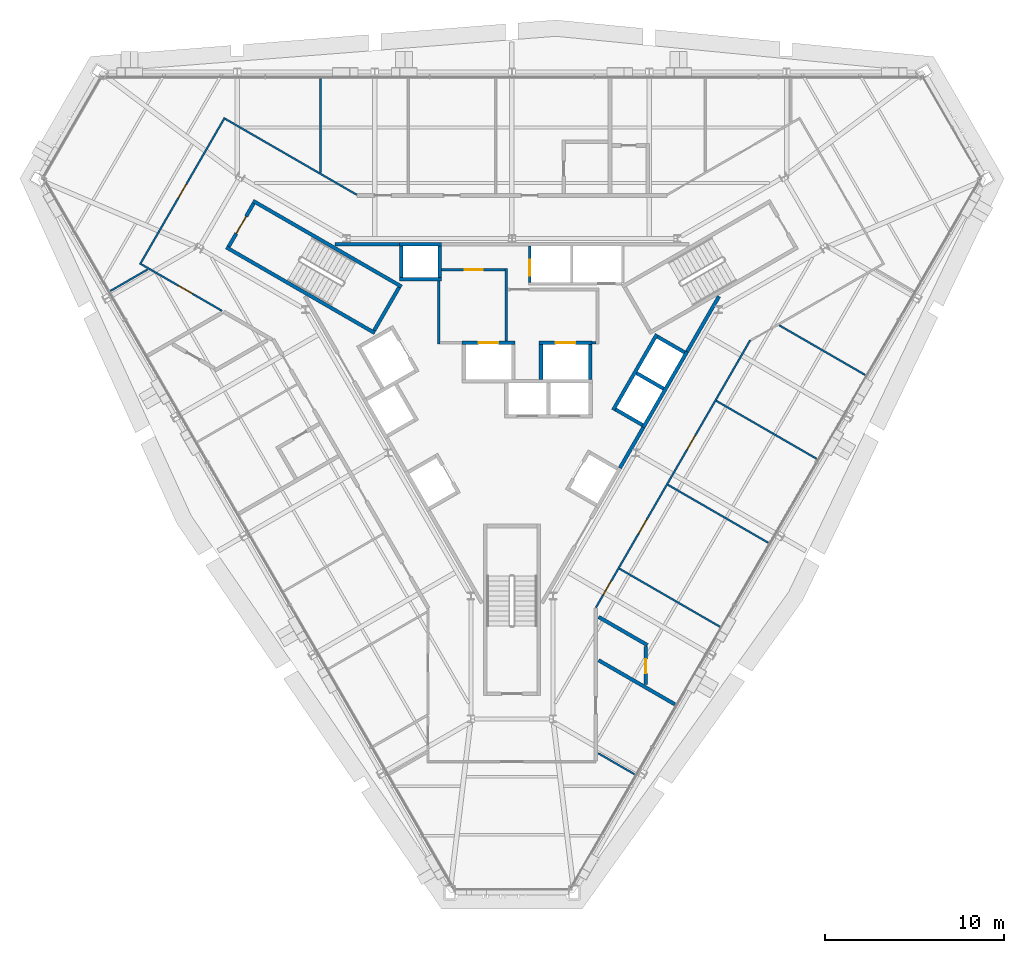
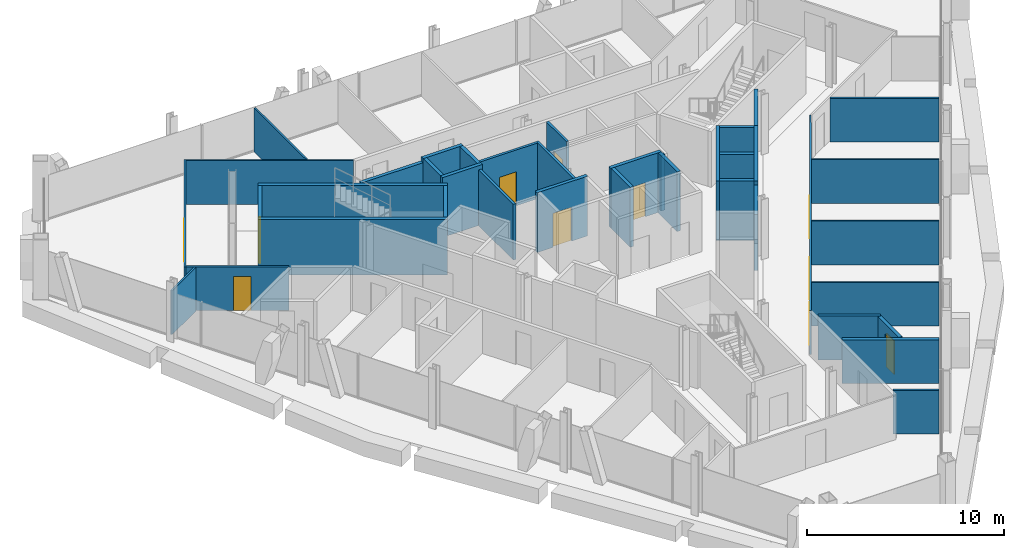
# One storey, part 9 of 13: 39 walls, 11 doors, 11 openings.
"""IFC4 building model written with IfcOpenShell, lengths in metres."""

from ifc_helpers import new_model, si_unit, direction, frame, frame_2d, origin, place, context, subcontext, project, spatial, rectangle, extrude, material, layer, layer_set, type_object, element, fill, save


model = new_model("IFC4")

# Units and contexts
model_context = context("Model", 3, precision=1e-05, world=origin(), true_north=direction((0.0, 1.0)))
body_context = subcontext(model_context, "Body", "Model", "MODEL_VIEW")
ifc_project = project(units=[si_unit("LENGTHUNIT", "METRE"), si_unit("AREAUNIT", "SQUARE_METRE"), si_unit("VOLUMEUNIT", "CUBIC_METRE"), si_unit("PLANEANGLEUNIT", "RADIAN"), si_unit("MASSUNIT", "GRAM", prefix="KILO")], contexts=[model_context])

# Site, building, storey
site_placement = place(None, origin())
site = spatial("IfcSite", under=ifc_project, at=site_placement, CompositionType="ELEMENT")
building_placement = place(site_placement, origin())
building = spatial("IfcBuilding", under=site, at=building_placement, Name="Verrane Prism Tower", CompositionType="ELEMENT")
storey_placement = place(building_placement, frame((0.0, 0.0, 167.300048828125)))
storey = spatial("IfcBuildingStorey", under=building, at=storey_placement, Name="L41", CompositionType="ELEMENT", Elevation=167.300048828125)

# Walls
ifc_material_1 = material(Name="Gypsum board partition", Category="other")
ifc_layer_1 = layer(ifc_material_1, 0.199951171875)
ifc_layer_set_1 = layer_set([ifc_layer_1], Name="CW-200 core boundary wall 2 h")
wall_type_1 = type_object("IfcWallType", Name="CW-200 core boundary wall 2 h", PredefinedType="PARTITIONING", material=ifc_layer_set_1)
wall_1_placement = place(storey_placement, frame((-9.907958984375, 7.659912109375, 0.0), z_axis=(0.0, 0.0, 1.0), x_axis=(1.0, 0.0, 0.0)))
element("IfcWall", 1, at=wall_1_placement, inside=storey, type_object=wall_type_1, Name="Core boundary wall CW3-002", PredefinedType="PARTITIONING", context=body_context, shape_type="SweptSolid", body=[
    extrude(rectangle(XDim=3.620849609375, YDim=0.199951171875, at=frame_2d((1.810546875, 0.0))), origin(), (0.0, 0.0, 1.0), 3.449951171875),
])
wall_2_placement = place(storey_placement, frame((6.0419921875, -4.85498046875, 0.0), z_axis=(0.0, 0.0, 1.0), x_axis=(0.500252727967, 0.865879442048, 0.0)))
element("IfcWall", 2, at=wall_2_placement, inside=storey, type_object=wall_type_1, Name="Core boundary wall CW3-007", PredefinedType="PARTITIONING", context=body_context, shape_type="SweptSolid", body=[
    extrude(rectangle(XDim=2.616943359375, YDim=0.199951171875, at=frame_2d((1.30859375, 0.0))), origin(), (0.0, 0.0, 1.0), 3.449951171875),
])
wall_3_placement = place(storey_placement, frame((9.802978515625, 1.657958984375, 0.0), z_axis=(0.0, 0.0, 1.0), x_axis=(0.499943114462, 0.866058244174, 0.0)))
element("IfcWall", 3, at=wall_3_placement, inside=storey, type_object=wall_type_1, Name="Core boundary wall CW3-008", PredefinedType="PARTITIONING", context=body_context, shape_type="SweptSolid", body=[
    extrude(rectangle(XDim=3.57568359375, YDim=0.199951171875, at=frame_2d((1.787841796875, 0.0))), origin(), (0.0, 0.0, 1.0), 3.449951171875),
])

# Wall, opening, door
ifc_material_2 = material(Name="Concrete C40/50", Category="concrete")
ifc_layer_2 = layer(ifc_material_2, 0.199951171875)
ifc_layer_set_2 = layer_set([ifc_layer_2], Name="CW-200 stair core wall concrete C40/50 3 h")
wall_type_2 = type_object("IfcWallType", Name="CW-200 stair core wall concrete C40/50 3 h", PredefinedType="PARTITIONING", material=ifc_layer_set_2)
wall_4_placement = place(storey_placement, frame((-14.455322265625, 9.96240234375, 0.0), z_axis=(0.0, 0.0, 1.0), x_axis=(-0.500049511043, -0.865996816683, 0.0)))
wall_4 = element("IfcWall", 4, at=wall_4_placement, inside=storey, type_object=wall_type_2, Name="Stair 2 enclosure wall", PredefinedType="PARTITIONING", context=body_context, shape_type="SweptSolid", body=[
    extrude(rectangle(XDim=2.800048828125, YDim=0.199951171875, at=frame_2d((1.39990234375, 0.0))), origin(), (0.0, 0.0, 1.0), 3.449951171875),
])
opening_1_placement = place(wall_4_placement, frame((0.849853515625, 0.0, 0.0)))
opening_1 = element("IfcOpeningElement", 5, at=opening_1_placement, cuts=wall_4, Name="Opening D39501", PredefinedType="OPENING", context=body_context, shape_type="SweptSolid", body=[
    extrude(rectangle(XDim=1.10009765625, YDim=2.10009765625, at=frame_2d((0.550048828125, 1.050048828125))), frame((0.0, 0.10986328125, 0.0), z_axis=(0.0, -1.0, 0.0), x_axis=(1.0, 0.0, 0.0)), (0.0, 0.0, 1.0), 0.219970703125),
])
ifc_material_3 = material(Name="Timber veneered door leaf", Category="wood")
door_type_1 = type_object("IfcDoorType", Name="DR-1100x2100 FD90 single leaf stair", OperationType="NOTDEFINED", PredefinedType="DOOR", material=ifc_material_3)
door_1_placement = place(opening_1_placement, origin())
door_1 = element("IfcDoor", 6, at=door_1_placement, inside=storey, type_object=door_type_1, Name="Stair 2 door", OperationType="SINGLE_SWING_RIGHT", OverallHeight=2.10009765625, OverallWidth=1.10009765625, PredefinedType="DOOR", context=body_context, shape_type="SweptSolid", body=[
    extrude(rectangle(XDim=1.10009765625, YDim=2.10009765625, at=frame_2d((0.550048828125, 1.050048828125))), frame((0.0, 0.02490234375, 0.0), z_axis=(0.0, -1.0, 0.0), x_axis=(1.0, 0.0, 0.0)), (0.0, 0.0, 1.0), 0.050048828125),
])
fill(opening_1, door_1)

# Walls
for number, where, z_axis, x_axis, name in (
    (7, (-7.67822265625, 2.700927734375, 0.0), (0.0, 0.0, 1.0), (-0.866019993635, 0.500009370536, 0.0), "Stair 2 enclosure wall"),
    (8, (-6.17822265625, 5.299072265625, 0.0), (0.0, 0.0, 1.0), (-0.866019993635, 0.500009370536, 0.0), "Stair 2 enclosure wall"),
):
    element("IfcWall", number, at=place(storey_placement, frame(where, z_axis=z_axis, x_axis=x_axis)), inside=storey, type_object=wall_type_2, Name=name, PredefinedType="PARTITIONING", context=body_context, shape_type="SweptSolid", body=[
        extrude(rectangle(XDim=9.599853515625, YDim=0.199951171875, at=frame_2d((4.7998046875, 0.0))), origin(), (0.0, 0.0, 1.0), 3.449951171875),
    ])
wall_5_placement = place(storey_placement, frame((-6.314697265625, 5.262451171875, 0.0), z_axis=(0.0, 0.0, 1.0), x_axis=(-0.500049511043, -0.865996816683, 0.0)))
element("IfcWall", 9, at=wall_5_placement, inside=storey, type_object=wall_type_2, Name="Stair 2 enclosure wall", PredefinedType="PARTITIONING", context=body_context, shape_type="SweptSolid", body=[
    extrude(rectangle(XDim=2.800048828125, YDim=0.199951171875, at=frame_2d((1.39990234375, 0.0))), origin(), (0.0, 0.0, 1.0), 3.449951171875),
])

# Wall, opening, door
ifc_material_4 = material(Name="Gypsum board shaft wall assembly", Category="other")
ifc_layer_3 = layer(ifc_material_4, 0.199951171875)
ifc_layer_set_3 = layer_set([ifc_layer_3], Name="HW-200 lift shaft wall 2 h")
wall_type_3 = type_object("IfcWallType", Name="HW-200 lift shaft wall 2 h", PredefinedType="PARTITIONING", material=ifc_layer_set_3)
wall_6_placement = place(storey_placement, frame((-2.784912109375, 2.14990234375, 0.0), z_axis=(0.0, 0.0, 1.0), x_axis=(1.0, 0.0, 0.0)))
wall_6 = element("IfcWall", 10, at=wall_6_placement, inside=storey, type_object=wall_type_3, Name="Lift shaft wall", PredefinedType="PARTITIONING", context=body_context, shape_type="SweptSolid", body=[
    extrude(rectangle(XDim=2.949951171875, YDim=0.199951171875, at=frame_2d((1.47509765625, 0.0))), origin(), (0.0, 0.0, 1.0), 3.699951171875),
])
opening_2_placement = place(wall_6_placement, frame((0.925048828125, 0.0, 0.0)))
opening_2 = element("IfcOpeningElement", 11, at=opening_2_placement, cuts=wall_6, Name="Opening D39507", PredefinedType="OPENING", context=body_context, shape_type="SweptSolid", body=[
    extrude(rectangle(XDim=1.10009765625, YDim=2.10009765625, at=frame_2d((0.550048828125, 1.050048828125))), frame((0.0, 0.10986328125, 0.0), z_axis=(0.0, -1.0, 0.0), x_axis=(1.0, 0.0, 0.0)), (0.0, 0.0, 1.0), 0.219970703125),
])
ifc_material_5 = material(Name="Stainless steel sliding landing door", Category="steel")
door_type_2 = type_object("IfcDoorType", Name="LD-1100x2100 lift landing door FD90 sliding", OperationType="NOTDEFINED", PredefinedType="DOOR", material=ifc_material_5)
door_2_placement = place(opening_2_placement, origin())
door_2 = element("IfcDoor", 12, at=door_2_placement, inside=storey, type_object=door_type_2, Name="Fire service lift 1 landing door", OperationType="SLIDING_TO_LEFT", OverallHeight=2.10009765625, OverallWidth=1.10009765625, PredefinedType="DOOR", context=body_context, shape_type="SweptSolid", body=[
    extrude(rectangle(XDim=1.10009765625, YDim=2.10009765625, at=frame_2d((0.550048828125, 1.050048828125))), frame((0.0, 0.02490234375, 0.0), z_axis=(0.0, -1.0, 0.0), x_axis=(1.0, 0.0, 0.0)), (0.0, 0.0, 1.0), 0.050048828125),
])
fill(opening_2, door_2)

wall_7_placement = place(storey_placement, frame((1.52490234375, 2.14990234375, 0.0), z_axis=(0.0, 0.0, 1.0), x_axis=(1.0, 0.0, 0.0)))
wall_7 = element("IfcWall", 13, at=wall_7_placement, inside=storey, type_object=wall_type_3, Name="Lift shaft wall", PredefinedType="PARTITIONING", context=body_context, shape_type="SweptSolid", body=[
    extrude(rectangle(XDim=2.9501953125, YDim=0.199951171875, at=frame_2d((1.47509765625, 0.0))), origin(), (0.0, 0.0, 1.0), 3.699951171875),
])
opening_3_placement = place(wall_7_placement, frame((0.925048828125, 0.0, 0.0)))
opening_3 = element("IfcOpeningElement", 14, at=opening_3_placement, cuts=wall_7, Name="Opening D39508", PredefinedType="OPENING", context=body_context, shape_type="SweptSolid", body=[
    extrude(rectangle(XDim=1.10009765625, YDim=2.10009765625, at=frame_2d((0.550048828125, 1.050048828125))), frame((0.0, 0.10986328125, 0.0), z_axis=(0.0, -1.0, 0.0), x_axis=(1.0, 0.0, 0.0)), (0.0, 0.0, 1.0), 0.219970703125),
])
door_3_placement = place(opening_3_placement, origin())
door_3 = element("IfcDoor", 15, at=door_3_placement, inside=storey, type_object=door_type_2, Name="Fire service lift 2 landing door", OperationType="SLIDING_TO_RIGHT", OverallHeight=2.10009765625, OverallWidth=1.10009765625, PredefinedType="DOOR", context=body_context, shape_type="SweptSolid", body=[
    extrude(rectangle(XDim=1.10009765625, YDim=2.10009765625, at=frame_2d((0.550048828125, 1.050048828125))), frame((0.0, 0.02490234375, 0.0), z_axis=(0.0, -1.0, 0.0), x_axis=(1.0, 0.0, 0.0)), (0.0, 0.0, 1.0), 0.050048828125),
])
fill(opening_3, door_3)

# Walls
for number, where, z_axis, x_axis, name in (
    (16, (-6.284912109375, 5.7099609375, 0.0), (0.0, 0.0, 1.0), (1.0, 0.0, 0.0), "Lift shaft wall"),
    (17, (-6.284912109375, 7.659912109375, 0.0), (0.0, 0.0, 1.0), (1.0, 0.0, 0.0), "Lift shaft wall"),
):
    element("IfcWall", number, at=place(storey_placement, frame(where, z_axis=z_axis, x_axis=x_axis)), inside=storey, type_object=wall_type_3, Name=name, PredefinedType="PARTITIONING", context=body_context, shape_type="SweptSolid", body=[
        extrude(rectangle(XDim=2.349853515625, YDim=0.199951171875, at=frame_2d((1.1748046875, 0.0))), origin(), (0.0, 0.0, 1.0), 3.699951171875),
    ])
wall_8_placement = place(storey_placement, frame((7.351318359375, -2.587158203125, 0.0), z_axis=(0.0, 0.0, 1.0), x_axis=(0.500002801628, 0.866023786258, 0.0)))
element("IfcWall", 18, at=wall_8_placement, inside=storey, type_object=wall_type_3, Name="Lift shaft wall", PredefinedType="PARTITIONING", context=body_context, shape_type="SweptSolid", body=[
    extrude(rectangle(XDim=4.89990234375, YDim=0.199951171875, at=frame_2d((2.449951171875, 0.0))), origin(), (0.0, 0.0, 1.0), 3.699951171875),
])
wall_9_placement = place(storey_placement, frame((5.66259765625, -1.6123046875, 0.0), z_axis=(0.0, 0.0, 1.0), x_axis=(0.49998122708, 0.866036242063, 0.0)))
element("IfcWall", 19, at=wall_9_placement, inside=storey, type_object=wall_type_3, Name="Lift shaft wall", PredefinedType="PARTITIONING", context=body_context, shape_type="SweptSolid", body=[
    extrude(rectangle(XDim=4.900146484375, YDim=0.199951171875, at=frame_2d((2.4501953125, 0.0))), origin(), (0.0, 0.0, 1.0), 3.699951171875),
])
for number, where, z_axis, x_axis, name in (
    (20, (4.375, 0.10009765625, 0.0), (0.0, 0.0, 1.0), (0.0, 1.0, 0.0), "Lift shaft wall"),
    (21, (1.625, 0.10009765625, 0.0), (0.0, 0.0, 1.0), (0.0, 1.0, 0.0), "Lift shaft wall"),
):
    element("IfcWall", number, at=place(storey_placement, frame(where, z_axis=z_axis, x_axis=x_axis)), inside=storey, type_object=wall_type_3, Name=name, PredefinedType="PARTITIONING", context=body_context, shape_type="SweptSolid", body=[
        extrude(rectangle(XDim=1.949951171875, YDim=0.199951171875, at=frame_2d((0.97509765625, 0.0))), origin(), (0.0, 0.0, 1.0), 3.699951171875),
    ])
for number, where, z_axis, x_axis, name in (
    (22, (-4.034912109375, 5.81005859375, 0.0), (0.0, 0.0, 1.0), (0.0, 1.0, 0.0), "Lift shaft wall"),
    (23, (-6.18505859375, 5.81005859375, 0.0), (0.0, 0.0, 1.0), (0.0, 1.0, 0.0), "Lift shaft wall"),
):
    element("IfcWall", number, at=place(storey_placement, frame(where, z_axis=z_axis, x_axis=x_axis)), inside=storey, type_object=wall_type_3, Name=name, PredefinedType="PARTITIONING", context=body_context, shape_type="SweptSolid", body=[
        extrude(rectangle(XDim=1.75, YDim=0.199951171875, at=frame_2d((0.875, 0.0))), origin(), (0.0, 0.0, 1.0), 3.699951171875),
    ])
wall_10_placement = place(storey_placement, frame((9.66455078125, 1.61962890625, 0.0), z_axis=(0.0, 0.0, 1.0), x_axis=(-0.866002029911, 0.500040482552, 0.0)))
element("IfcWall", 24, at=wall_10_placement, inside=storey, type_object=wall_type_3, Name="Lift shaft wall", PredefinedType="PARTITIONING", context=body_context, shape_type="SweptSolid", body=[
    extrude(rectangle(XDim=1.749755859375, YDim=0.199951171875, at=frame_2d((0.875, 0.0))), origin(), (0.0, 0.0, 1.0), 3.699951171875),
])
for number, where, z_axis, x_axis, name in (
    (25, (8.48974609375, -0.41552734375, 0.0), (0.0, 0.0, 1.0), (-0.866036909293, 0.499980071345, 0.0), "Lift shaft wall"),
    (26, (7.314697265625, -2.45068359375, 0.0), (0.0, 0.0, 1.0), (-0.866036909293, 0.499980071345, 0.0), "Lift shaft wall"),
):
    element("IfcWall", number, at=place(storey_placement, frame(where, z_axis=z_axis, x_axis=x_axis)), inside=storey, type_object=wall_type_3, Name=name, PredefinedType="PARTITIONING", context=body_context, shape_type="SweptSolid", body=[
        extrude(rectangle(XDim=1.75, YDim=0.199951171875, at=frame_2d((0.875, 0.0))), origin(), (0.0, 0.0, 1.0), 3.699951171875),
    ])
ifc_material_6 = material(Name="Gypsum board partition", Category="other")
ifc_layer_4 = layer(ifc_material_6, 0.14990234375)
ifc_layer_set_4 = layer_set([ifc_layer_4], Name="LF-150 firefighting lobby wall 1 h")
wall_type_4 = type_object("IfcWallType", Name="LF-150 firefighting lobby wall 1 h", PredefinedType="PARTITIONING", material=ifc_layer_set_4)
wall_11_placement = place(storey_placement, frame((-4.10009765625, 2.0849609375, 0.0), z_axis=(0.0, 0.0, 1.0), x_axis=(0.0, 1.0, 0.0)))
element("IfcWall", 27, at=wall_11_placement, inside=storey, type_object=wall_type_4, Name="Firefighting lobby wall LF1-001", PredefinedType="PARTITIONING", context=body_context, shape_type="SweptSolid", body=[
    extrude(rectangle(XDim=3.52294921875, YDim=0.14990234375, at=frame_2d((1.761474609375, 0.0))), origin(), (0.0, 0.0, 1.0), 3.449951171875),
])

# Wall, opening, door
wall_12_placement = place(storey_placement, frame((-3.93310546875, 6.239990234375, 0.0), z_axis=(0.0, 0.0, 1.0), x_axis=(1.0, 0.0, 0.0)))
wall_12 = element("IfcWall", 28, at=wall_12_placement, inside=storey, type_object=wall_type_4, Name="Firefighting lobby wall LF1-003", PredefinedType="PARTITIONING", context=body_context, shape_type="SweptSolid", body=[
    extrude(rectangle(XDim=3.5380859375, YDim=0.14990234375, at=frame_2d((1.76904296875, 0.0))), origin(), (0.0, 0.0, 1.0), 3.449951171875),
])
opening_4_placement = place(wall_12_placement, frame((1.300048828125, 0.0, 0.0)))
opening_4 = element("IfcOpeningElement", 29, at=opening_4_placement, cuts=wall_12, Name="Opening D39511", PredefinedType="OPENING", context=body_context, shape_type="SweptSolid", body=[
    extrude(rectangle(XDim=1.0, YDim=2.10009765625, at=frame_2d((0.5, 1.050048828125))), frame((0.0, 0.0849609375, 0.0), z_axis=(0.0, -1.0, 0.0), x_axis=(1.0, 0.0, 0.0)), (0.0, 0.0, 1.0), 0.169921875),
])
ifc_material_7 = material(Name="Timber veneered door leaf", Category="wood")
door_type_3 = type_object("IfcDoorType", Name="DR-1000x2100 FD60 single leaf firefighting lobby", OperationType="NOTDEFINED", PredefinedType="DOOR", material=ifc_material_7)
door_4_placement = place(opening_4_placement, origin())
door_4 = element("IfcDoor", 30, at=door_4_placement, inside=storey, type_object=door_type_3, Name="Firefighting lobby door D39511", OperationType="SINGLE_SWING_LEFT", OverallHeight=2.10009765625, OverallWidth=1.0, PredefinedType="DOOR", context=body_context, shape_type="SweptSolid", body=[
    extrude(rectangle(XDim=1.0, YDim=2.10009765625, at=frame_2d((0.5, 1.050048828125))), frame((0.0, 0.02490234375, 0.0), z_axis=(0.0, -1.0, 0.0), x_axis=(1.0, 0.0, 0.0)), (0.0, 0.0, 1.0), 0.050048828125),
])
fill(opening_4, door_4)

# Walls
wall_13_placement = place(storey_placement, frame((-0.320068359375, 2.251953125, 0.0), z_axis=(0.0, 0.0, 1.0), x_axis=(0.0, 1.0, 0.0)))
element("IfcWall", 31, at=wall_13_placement, inside=storey, type_object=wall_type_4, Name="Firefighting lobby wall LF1-004", PredefinedType="PARTITIONING", context=body_context, shape_type="SweptSolid", body=[
    extrude(rectangle(XDim=4.06298828125, YDim=0.14990234375, at=frame_2d((2.031494140625, 0.0))), origin(), (0.0, 0.0, 1.0), 3.449951171875),
])
wall_14_placement = place(storey_placement, frame((4.47705078125, 2.159912109375, 0.0), z_axis=(0.0, 0.0, 1.0), x_axis=(1.0, 0.0, 0.0)))
element("IfcWall", 32, at=wall_14_placement, inside=storey, type_object=wall_type_4, Name="Firefighting lobby wall LF1-006", PredefinedType="PARTITIONING", context=body_context, shape_type="SweptSolid", body=[
    extrude(rectangle(XDim=0.238037109375, YDim=0.14990234375, at=frame_2d((0.119140625, 0.0))), origin(), (0.0, 0.0, 1.0), 3.449951171875),
])
ifc_material_8 = material(Name="Gypsum board partition", Category="other")
ifc_layer_5 = layer(ifc_material_8, 0.10009765625)
ifc_layer_set_5 = layer_set([ifc_layer_5], Name="PW-100 room partition")
wall_type_5 = type_object("IfcWallType", Name="PW-100 room partition", PredefinedType="PARTITIONING", material=ifc_layer_set_5)
wall_15_placement = place(storey_placement, frame((-22.474853515625, 5.057861328125, 0.0), z_axis=(0.0, 0.0, 1.0), x_axis=(0.865953976614, 0.500123695086, 0.0)))
element("IfcWall", 33, at=wall_15_placement, inside=storey, type_object=wall_type_5, Name="Room partition 001", PredefinedType="PARTITIONING", context=body_context, shape_type="SweptSolid", body=[
    extrude(rectangle(XDim=2.4052734375, YDim=0.10009765625, at=frame_2d((1.20263671875, 0.0))), origin(), (0.0, 0.0, 1.0), 2.712890625),
])

# Wall, opening, door
wall_16_placement = place(storey_placement, frame((-16.22900390625, 3.944091796875, 0.0), z_axis=(0.0, 0.0, 1.0), x_axis=(-0.866079026679, 0.499907110918, 0.0)))
wall_16 = element("IfcWall", 34, at=wall_16_placement, inside=storey, type_object=wall_type_5, Name="Room partition 002", PredefinedType="PARTITIONING", context=body_context, shape_type="SweptSolid", body=[
    extrude(rectangle(XDim=5.2265625, YDim=0.10009765625, at=frame_2d((2.61328125, 0.0))), origin(), (0.0, 0.0, 1.0), 2.712890625),
])
opening_5_placement = place(wall_16_placement, frame((1.920654296875, 0.0, 0.0)))
opening_5 = element("IfcOpeningElement", 35, at=opening_5_placement, cuts=wall_16, Name="Opening D39017", PredefinedType="OPENING", context=body_context, shape_type="SweptSolid", body=[
    extrude(rectangle(XDim=0.89990234375, YDim=2.10009765625, at=frame_2d((0.449951171875, 1.050048828125))), frame((0.0, 0.06005859375, 0.0), z_axis=(0.0, -1.0, 0.0), x_axis=(1.0, 0.0, 0.0)), (0.0, 0.0, 1.0), 0.1201171875),
])
ifc_material_9 = material(Name="Timber veneered door leaf", Category="wood")
door_type_4 = type_object("IfcDoorType", Name="DR-900x2100 single leaf unit", OperationType="NOTDEFINED", PredefinedType="DOOR", material=ifc_material_9)
door_5_placement = place(opening_5_placement, origin())
door_5 = element("IfcDoor", 36, at=door_5_placement, inside=storey, type_object=door_type_4, Name="Kitchen door", OperationType="SINGLE_SWING_RIGHT", OverallHeight=2.10009765625, OverallWidth=0.89990234375, PredefinedType="DOOR", context=body_context, shape_type="SweptSolid", body=[
    extrude(rectangle(XDim=0.89990234375, YDim=2.10009765625, at=frame_2d((0.449951171875, 1.050048828125))), frame((0.0, 0.02490234375, 0.0), z_axis=(0.0, -1.0, 0.0), x_axis=(1.0, 0.0, 0.0)), (0.0, 0.0, 1.0), 0.050048828125),
])
fill(opening_5, door_5)

wall_17_placement = place(storey_placement, frame((-20.823974609375, 6.538818359375, 0.0), z_axis=(0.0, 0.0, 1.0), x_axis=(0.500297300687, 0.865853689098, 0.0)))
wall_17 = element("IfcWall", 37, at=wall_17_placement, inside=storey, type_object=wall_type_5, Name="Room partition 003", PredefinedType="PARTITIONING", context=body_context, shape_type="SweptSolid", body=[
    extrude(rectangle(XDim=9.496337890625, YDim=0.10009765625, at=frame_2d((4.748046875, 0.0))), origin(), (0.0, 0.0, 1.0), 2.712890625),
])
opening_6_placement = place(wall_17_placement, frame((4.300048828125, 0.0, 0.0)))
opening_6 = element("IfcOpeningElement", 38, at=opening_6_placement, cuts=wall_17, Name="Opening D39016", PredefinedType="OPENING", context=body_context, shape_type="SweptSolid", body=[
    extrude(rectangle(XDim=0.89990234375, YDim=2.10009765625, at=frame_2d((0.449951171875, 1.050048828125))), frame((0.0, 0.06005859375, 0.0), z_axis=(0.0, -1.0, 0.0), x_axis=(1.0, 0.0, 0.0)), (0.0, 0.0, 1.0), 0.1201171875),
])
door_6_placement = place(opening_6_placement, origin())
door_6 = element("IfcDoor", 39, at=door_6_placement, inside=storey, type_object=door_type_4, Name="Utility Room door", OperationType="SINGLE_SWING_RIGHT", OverallHeight=2.10009765625, OverallWidth=0.89990234375, PredefinedType="DOOR", context=body_context, shape_type="SweptSolid", body=[
    extrude(rectangle(XDim=0.89990234375, YDim=2.10009765625, at=frame_2d((0.449951171875, 1.050048828125))), frame((0.0, 0.02490234375, 0.0), z_axis=(0.0, -1.0, 0.0), x_axis=(1.0, 0.0, 0.0)), (0.0, 0.0, 1.0), 0.050048828125),
])
fill(opening_6, door_6)

# Walls
wall_18_placement = place(storey_placement, frame((-16.0546875, 14.693115234375, 0.0), z_axis=(0.0, 0.0, 1.0), x_axis=(0.866070360466, -0.499922124658, 0.0)))
element("IfcWall", 40, at=wall_18_placement, inside=storey, type_object=wall_type_5, Name="Room partition 009", PredefinedType="PARTITIONING", context=body_context, shape_type="SweptSolid", body=[
    extrude(rectangle(XDim=8.502685546875, YDim=0.10009765625, at=frame_2d((4.25146484375, 0.0))), origin(), (0.0, 0.0, 1.0), 2.712890625),
])
wall_19_placement = place(storey_placement, frame((-10.712890625, 11.696533203125, 0.0), z_axis=(0.0, 0.0, 1.0), x_axis=(0.0, 1.0, 0.0)))
element("IfcWall", 41, at=wall_19_placement, inside=storey, type_object=wall_type_5, Name="Room partition 015", PredefinedType="PARTITIONING", context=body_context, shape_type="SweptSolid", body=[
    extrude(rectangle(XDim=5.238525390625, YDim=0.10009765625, at=frame_2d((2.619140625, 0.0))), origin(), (0.0, 0.0, 1.0), 2.712890625),
])
wall_20_placement = place(storey_placement, frame((4.824951171875, -20.819091796875, 0.0), z_axis=(0.0, 0.0, 1.0), x_axis=(0.865981189106, -0.500076574252, 0.0)))
element("IfcWall", 42, at=wall_20_placement, inside=storey, type_object=wall_type_5, Name="Room partition 029", PredefinedType="PARTITIONING", context=body_context, shape_type="SweptSolid", body=[
    extrude(rectangle(XDim=2.347412109375, YDim=0.10009765625, at=frame_2d((1.173828125, 0.0))), origin(), (0.0, 0.0, 1.0), 2.712890625),
])

# Wall, openings, doors
wall_21_placement = place(storey_placement, frame((13.342041015625, 2.306396484375, 0.0), z_axis=(0.0, 0.0, 1.0), x_axis=(-0.49997635812, -0.866039053, 0.0)))
wall_21 = element("IfcWall", 43, at=wall_21_placement, inside=storey, type_object=wall_type_5, Name="Room partition 032", PredefinedType="PARTITIONING", context=body_context, shape_type="SweptSolid", body=[
    extrude(rectangle(XDim=17.284912109375, YDim=0.10009765625, at=frame_2d((8.642578125, 0.0))), origin(), (0.0, 0.0, 1.0), 2.712890625),
])
opening_7_placement = place(wall_21_placement, frame((15.584716796875, 0.0, 0.0)))
opening_7 = element("IfcOpeningElement", 44, at=opening_7_placement, cuts=wall_21, Name="Opening D39002", PredefinedType="OPENING", context=body_context, shape_type="SweptSolid", body=[
    extrude(rectangle(XDim=0.89990234375, YDim=2.10009765625, at=frame_2d((0.449951171875, 1.050048828125))), frame((0.0, 0.06005859375, 0.0), z_axis=(0.0, -1.0, 0.0), x_axis=(1.0, 0.0, 0.0)), (0.0, 0.0, 1.0), 0.1201171875),
])
opening_8_placement = place(wall_21_placement, frame((11.5947265625, 0.0, 0.0)))
opening_8 = element("IfcOpeningElement", 45, at=opening_8_placement, cuts=wall_21, Name="Opening D39004", PredefinedType="OPENING", context=body_context, shape_type="SweptSolid", body=[
    extrude(rectangle(XDim=0.89990234375, YDim=2.10009765625, at=frame_2d((0.449951171875, 1.050048828125))), frame((0.0, 0.06005859375, 0.0), z_axis=(0.0, -1.0, 0.0), x_axis=(1.0, 0.0, 0.0)), (0.0, 0.0, 1.0), 0.1201171875),
])
opening_9_placement = place(wall_21_placement, frame((6.1708984375, 0.0, 0.0)))
opening_9 = element("IfcOpeningElement", 46, at=opening_9_placement, cuts=wall_21, Name="Opening D39005", PredefinedType="OPENING", context=body_context, shape_type="SweptSolid", body=[
    extrude(rectangle(XDim=0.89990234375, YDim=2.10009765625, at=frame_2d((0.449951171875, 1.050048828125))), frame((0.0, 0.06005859375, 0.0), z_axis=(0.0, -1.0, 0.0), x_axis=(1.0, 0.0, 0.0)), (0.0, 0.0, 1.0), 0.1201171875),
])
ifc_material_10 = material(Name="Timber veneered door leaf", Category="wood")
door_type_5 = type_object("IfcDoorType", Name="DR-900x2100 single leaf inner", OperationType="NOTDEFINED", PredefinedType="DOOR", material=ifc_material_10)
door_7_placement = place(opening_7_placement, origin())
door_7 = element("IfcDoor", 47, at=door_7_placement, inside=storey, type_object=door_type_5, Name="Bedroom door", OperationType="SINGLE_SWING_LEFT", OverallHeight=2.10009765625, OverallWidth=0.89990234375, PredefinedType="DOOR", context=body_context, shape_type="SweptSolid", body=[
    extrude(rectangle(XDim=0.89990234375, YDim=2.10009765625, at=frame_2d((0.449951171875, 1.050048828125))), frame((0.0, 0.02490234375, 0.0), z_axis=(0.0, -1.0, 0.0), x_axis=(1.0, 0.0, 0.0)), (0.0, 0.0, 1.0), 0.050048828125),
])
fill(opening_7, door_7)
door_8_placement = place(opening_8_placement, origin())
door_8 = element("IfcDoor", 48, at=door_8_placement, inside=storey, type_object=door_type_4, Name="Study door", OperationType="SINGLE_SWING_LEFT", OverallHeight=2.10009765625, OverallWidth=0.89990234375, PredefinedType="DOOR", context=body_context, shape_type="SweptSolid", body=[
    extrude(rectangle(XDim=0.89990234375, YDim=2.10009765625, at=frame_2d((0.449951171875, 1.050048828125))), frame((0.0, 0.02490234375, 0.0), z_axis=(0.0, -1.0, 0.0), x_axis=(1.0, 0.0, 0.0)), (0.0, 0.0, 1.0), 0.050048828125),
])
fill(opening_8, door_8)
door_9_placement = place(opening_9_placement, origin())
door_9 = element("IfcDoor", 49, at=door_9_placement, inside=storey, type_object=door_type_4, Name="Study door", OperationType="SINGLE_SWING_RIGHT", OverallHeight=2.10009765625, OverallWidth=0.89990234375, PredefinedType="DOOR", context=body_context, shape_type="SweptSolid", body=[
    extrude(rectangle(XDim=0.89990234375, YDim=2.10009765625, at=frame_2d((0.449951171875, 1.050048828125))), frame((0.0, 0.02490234375, 0.0), z_axis=(0.0, -1.0, 0.0), x_axis=(1.0, 0.0, 0.0)), (0.0, 0.0, 1.0), 0.050048828125),
])
fill(opening_9, door_9)

# Walls
wall_22_placement = place(storey_placement, frame((6.01318359375, -10.488037109375, 0.0), z_axis=(0.0, 0.0, 1.0), x_axis=(0.86599118531, -0.500059263454, 0.0)))
element("IfcWall", 50, at=wall_22_placement, inside=storey, type_object=wall_type_5, Name="Room partition 035", PredefinedType="PARTITIONING", context=body_context, shape_type="SweptSolid", body=[
    extrude(rectangle(XDim=6.483642578125, YDim=0.10009765625, at=frame_2d((3.24169921875, 0.0))), origin(), (0.0, 0.0, 1.0), 2.712890625),
])
wall_23_placement = place(storey_placement, frame((8.725341796875, -5.791015625, 0.0), z_axis=(0.0, 0.0, 1.0), x_axis=(0.865998075994, -0.500047330135, 0.0)))
element("IfcWall", 51, at=wall_23_placement, inside=storey, type_object=wall_type_5, Name="Room partition 039", PredefinedType="PARTITIONING", context=body_context, shape_type="SweptSolid", body=[
    extrude(rectangle(XDim=6.483154296875, YDim=0.10009765625, at=frame_2d((3.24169921875, 0.0))), origin(), (0.0, 0.0, 1.0), 2.712890625),
])
wall_24_placement = place(storey_placement, frame((11.440673828125, -1.096435546875, 0.0), z_axis=(0.0, 0.0, 1.0), x_axis=(0.866019919364, -0.500009499175, 0.0)))
element("IfcWall", 52, at=wall_24_placement, inside=storey, type_object=wall_type_5, Name="Room partition 041", PredefinedType="PARTITIONING", context=body_context, shape_type="SweptSolid", body=[
    extrude(rectangle(XDim=6.478759765625, YDim=0.10009765625, at=frame_2d((3.2392578125, 0.0))), origin(), (0.0, 0.0, 1.0), 2.712890625),
])
wall_25_placement = place(storey_placement, frame((14.968017578125, 3.129638671875, 0.0), z_axis=(0.0, 0.0, 1.0), x_axis=(0.866001282423, -0.500041777097, 0.0)))
element("IfcWall", 53, at=wall_25_placement, inside=storey, type_object=wall_type_5, Name="Room partition 043", PredefinedType="PARTITIONING", context=body_context, shape_type="SweptSolid", body=[
    extrude(rectangle(XDim=5.537109375, YDim=0.10009765625, at=frame_2d((2.7685546875, 0.0))), origin(), (0.0, 0.0, 1.0), 2.712890625),
])
ifc_material_11 = material(Name="Gypsum board partition", Category="other")
ifc_layer_6 = layer(ifc_material_11, 0.199951171875)
ifc_layer_set_6 = layer_set([ifc_layer_6], Name="PW-200 plumbing wall")
wall_type_6 = type_object("IfcWallType", Name="PW-200 plumbing wall", PredefinedType="PARTITIONING", material=ifc_layer_set_6)
wall_26_placement = place(storey_placement, frame((4.85009765625, -15.615478515625, 0.0), z_axis=(0.0, 0.0, 1.0), x_axis=(0.866057699548, -0.499944057923, 0.0)))
element("IfcWall", 54, at=wall_26_placement, inside=storey, type_object=wall_type_6, Name="Plumbing wall 030", PredefinedType="PARTITIONING", context=body_context, shape_type="SweptSolid", body=[
    extrude(rectangle(XDim=4.92724609375, YDim=0.199951171875, at=frame_2d((2.463623046875, 0.0))), origin(), (0.0, 0.0, 1.0), 2.712890625),
])
wall_27_placement = place(storey_placement, frame((4.85009765625, -13.190673828125, 0.0), z_axis=(0.0, 0.0, 1.0), x_axis=(0.866109679077, -0.499854002494, 0.0)))
element("IfcWall", 55, at=wall_27_placement, inside=storey, type_object=wall_type_6, Name="Plumbing wall 031", PredefinedType="PARTITIONING", context=body_context, shape_type="SweptSolid", body=[
    extrude(rectangle(XDim=3.15966796875, YDim=0.199951171875, at=frame_2d((1.579833984375, 0.0))), origin(), (0.0, 0.0, 1.0), 2.712890625),
])

# Wall, opening, door
wall_28_placement = place(storey_placement, frame((7.5, -16.971923828125, 0.0), z_axis=(0.0, 0.0, 1.0), x_axis=(0.0, 1.0, 0.0)))
wall_28 = element("IfcWall", 56, at=wall_28_placement, inside=storey, type_object=wall_type_6, Name="Plumbing wall 036", PredefinedType="PARTITIONING", context=body_context, shape_type="SweptSolid", body=[
    extrude(rectangle(XDim=2.116943359375, YDim=0.199951171875, at=frame_2d((1.05859375, 0.0))), origin(), (0.0, 0.0, 1.0), 2.712890625),
])
opening_10_placement = place(wall_28_placement, frame((0.626708984375, 0.0, 0.0)))
opening_10 = element("IfcOpeningElement", 57, at=opening_10_placement, cuts=wall_28, Name="Opening D39003", PredefinedType="OPENING", context=body_context, shape_type="SweptSolid", body=[
    extrude(rectangle(XDim=0.800048828125, YDim=2.10009765625, at=frame_2d((0.39990234375, 1.050048828125))), frame((0.0, 0.10986328125, 0.0), z_axis=(0.0, -1.0, 0.0), x_axis=(1.0, 0.0, 0.0)), (0.0, 0.0, 1.0), 0.219970703125),
])
ifc_material_12 = material(Name="Timber veneered door leaf", Category="wood")
door_type_6 = type_object("IfcDoorType", Name="DR-800x2100 single leaf bath", OperationType="NOTDEFINED", PredefinedType="DOOR", material=ifc_material_12)
door_10_placement = place(opening_10_placement, origin())
door_10 = element("IfcDoor", 58, at=door_10_placement, inside=storey, type_object=door_type_6, Name="Bathroom door", OperationType="SINGLE_SWING_LEFT", OverallHeight=2.10009765625, OverallWidth=0.800048828125, PredefinedType="DOOR", context=body_context, shape_type="SweptSolid", body=[
    extrude(rectangle(XDim=0.800048828125, YDim=2.10009765625, at=frame_2d((0.39990234375, 1.050048828125))), frame((0.0, 0.02490234375, 0.0), z_axis=(0.0, -1.0, 0.0), x_axis=(1.0, 0.0, 0.0)), (0.0, 0.0, 1.0), 0.050048828125),
])
fill(opening_10, door_10)

ifc_material_13 = material(Name="Gypsum board partition", Category="other")
ifc_layer_7 = layer(ifc_material_13, 0.14990234375)
ifc_layer_set_7 = layer_set([ifc_layer_7], Name="RS-150 riser enclosure wall 1 h")
wall_type_7 = type_object("IfcWallType", Name="RS-150 riser enclosure wall 1 h", PredefinedType="PARTITIONING", material=ifc_layer_set_7)
wall_29_placement = place(storey_placement, frame((1.0, 7.56005859375, 0.0), z_axis=(0.0, 0.0, 1.0), x_axis=(0.0, -1.0, 0.0)))
wall_29 = element("IfcWall", 59, at=wall_29_placement, inside=storey, type_object=wall_type_7, Name="Riser wall RS3-001", PredefinedType="PARTITIONING", context=body_context, shape_type="SweptSolid", body=[
    extrude(rectangle(XDim=2.025146484375, YDim=0.14990234375, at=frame_2d((1.0126953125, 0.0))), origin(), (0.0, 0.0, 1.0), 3.449951171875),
])
opening_11_placement = place(wall_29_placement, frame((0.75, 0.0, 0.0)))
opening_11 = element("IfcOpeningElement", 60, at=opening_11_placement, cuts=wall_29, Name="Opening D39513", PredefinedType="OPENING", context=body_context, shape_type="SweptSolid", body=[
    extrude(rectangle(XDim=0.89990234375, YDim=2.10009765625, at=frame_2d((0.449951171875, 1.050048828125))), frame((0.0, 0.0849609375, 0.0), z_axis=(0.0, -1.0, 0.0), x_axis=(1.0, 0.0, 0.0)), (0.0, 0.0, 1.0), 0.169921875),
])
ifc_material_14 = material(Name="Timber veneered door leaf", Category="wood")
door_type_7 = type_object("IfcDoorType", Name="DR-900x2100 FD60 single leaf riser", OperationType="NOTDEFINED", PredefinedType="DOOR", material=ifc_material_14)
door_11_placement = place(opening_11_placement, origin())
door_11 = element("IfcDoor", 61, at=door_11_placement, inside=storey, type_object=door_type_7, Name="Riser door D39513", OperationType="SINGLE_SWING_RIGHT", OverallHeight=2.10009765625, OverallWidth=0.89990234375, PredefinedType="DOOR", context=body_context, shape_type="SweptSolid", body=[
    extrude(rectangle(XDim=0.89990234375, YDim=2.10009765625, at=frame_2d((0.449951171875, 1.050048828125))), frame((0.0, 0.02490234375, 0.0), z_axis=(0.0, -1.0, 0.0), x_axis=(1.0, 0.0, 0.0)), (0.0, 0.0, 1.0), 0.050048828125),
])
fill(opening_11, door_11)

save(model, "model.ifc")
